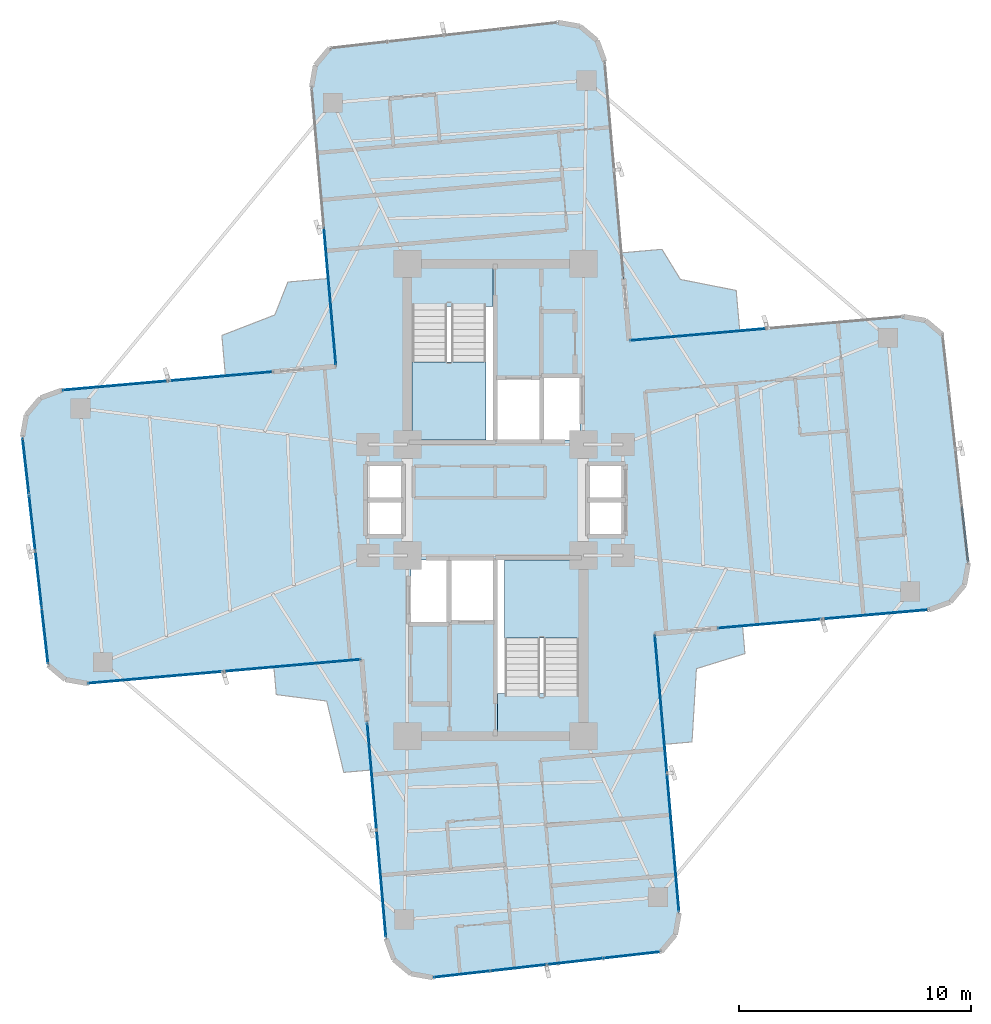
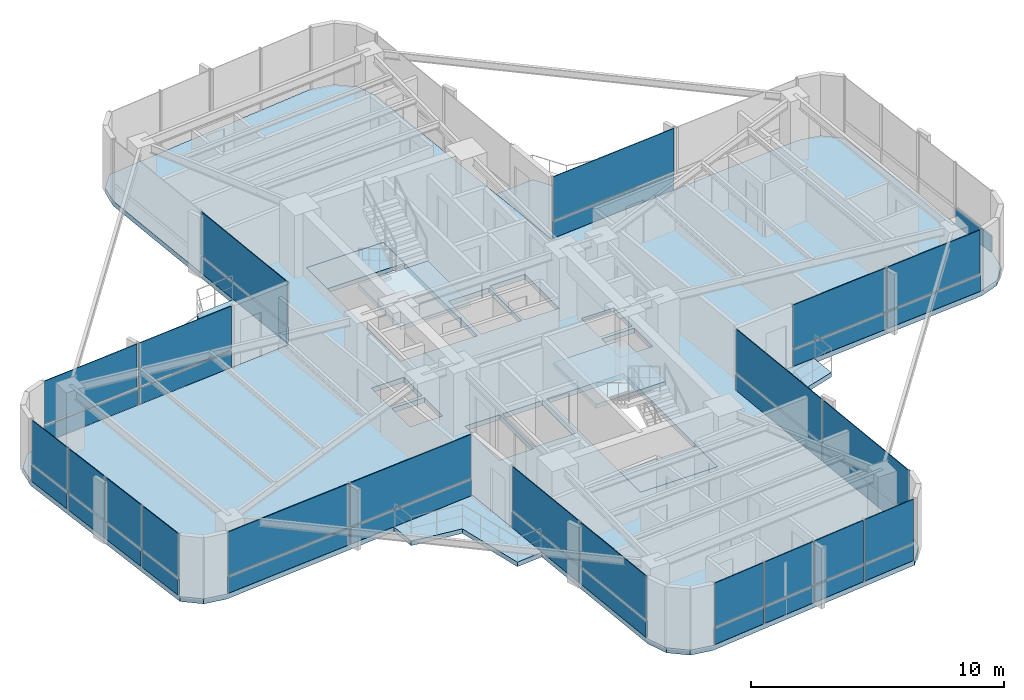
# One storey, part 19 of 24: 41 plates, 9 slabs, 12 elements without a shape of their own.
"""IFC4 building model written with IfcOpenShell, lengths in metres."""

from ifc_helpers import new_model, si_unit, direction, frame, origin, origin_2d, place, context, subcontext, project, spatial, polyline, rectangle, outline, extrude, source, transform, mapped, material, layer, layer_set, type_object, element, aggregate, save


model = new_model("IFC4")

# Units and contexts
model_context = context("Model", 3, precision=1e-05, world=origin(), true_north=direction((0.0, 1.0)))
body_context = subcontext(model_context, "Body", "Model", "MODEL_VIEW")
ifc_project = project(units=[si_unit("LENGTHUNIT", "METRE"), si_unit("AREAUNIT", "SQUARE_METRE"), si_unit("VOLUMEUNIT", "CUBIC_METRE"), si_unit("PLANEANGLEUNIT", "RADIAN"), si_unit("MASSUNIT", "GRAM", prefix="KILO")], contexts=[model_context])

# Site, building, storey
site_placement = place(None, origin())
site = spatial("IfcSite", under=ifc_project, at=site_placement, CompositionType="ELEMENT")
building_placement = place(site_placement, origin())
building = spatial("IfcBuilding", under=site, at=building_placement, Name="Sahyath Konkavel Grand Hotel", CompositionType="ELEMENT")
storey_placement = place(building_placement, frame((0.0, 0.0, 198.64990234375)))
storey = spatial("IfcBuildingStorey", under=building, at=storey_placement, Name="L55", CompositionType="ELEMENT", Elevation=198.64990234375)

# Slabs
ifc_material_1 = material(Name="Concrete C40/50", Category="concrete")
ifc_layer_1 = layer(ifc_material_1, 0.239990234375)
ifc_layer_set_1 = layer_set([ifc_layer_1], Name="Concrete C40/50")
slab_type_1 = type_object("IfcSlabType", Name="SLB-240", PredefinedType="FLOOR", material=ifc_layer_set_1)
slab_1_placement = place(storey_placement, frame((0.0, 0.0, -0.239990234375)))
element("IfcSlab", 1, at=slab_1_placement, inside=storey, type_object=slab_type_1, Name="L55 Structural Floor Slab", PredefinedType="FLOOR", context=body_context, shape_type="SweptSolid", body=[
    extrude(outline(polyline([(6.87939453125, -5.7724609375), (18.73388671875, -4.735107421875), (19.6337890625, -4.40771484375), (20.24951171875, -3.674072265625), (20.415771484375, -2.73095703125), (19.3037109375, 7.134521484375), (18.5703125, 7.75), (17.627197265625, 7.91650390625), (5.7724609375, 6.87939453125), (4.7177734375, 18.93310546875), (4.390380859375, 19.8330078125), (3.65673828125, 20.44873046875), (2.713623046875, 20.614990234375), (-7.152099609375, 19.5029296875), (-7.767578125, 18.769287109375), (-7.933837890625, 17.826416015625), (-6.87939453125, 5.7724609375), (-18.73388671875, 4.735107421875), (-19.6337890625, 4.40771484375), (-20.24951171875, 3.674072265625), (-20.415771484375, 2.73095703125), (-19.3037109375, -7.134521484375), (-18.5703125, -7.75), (-17.627197265625, -7.91650390625), (-5.7724609375, -6.87939453125), (-4.7177734375, -18.93310546875), (-4.390380859375, -19.8330078125), (-3.65673828125, -20.44873046875), (-2.713623046875, -20.614990234375), (7.152099609375, -19.5029296875), (7.767578125, -18.769287109375), (7.933837890625, -17.826416015625), (6.87939453125, -5.7724609375)]), holes=[polyline([(-3.6201171875, 2.580078125), (-0.10009765625, 2.580078125), (-0.10009765625, 10.02001953125), (-3.6201171875, 10.02001953125), (-3.6201171875, 2.580078125)]), polyline([(0.10009765625, -10.02001953125), (3.6201171875, -10.02001953125), (3.6201171875, -2.580078125), (0.10009765625, -2.580078125), (0.10009765625, -10.02001953125)]), polyline([(0.10009765625, 2.60009765625), (1.949951171875, 2.60009765625), (1.949951171875, 5.199951171875), (0.10009765625, 5.199951171875), (0.10009765625, 2.60009765625)]), polyline([(-1.949951171875, -5.199951171875), (-0.10009765625, -5.199951171875), (-0.10009765625, -2.60009765625), (-1.949951171875, -2.60009765625), (-1.949951171875, -5.199951171875)]), polyline([(2.050048828125, 2.60009765625), (3.64990234375, 2.60009765625), (3.64990234375, 5.300048828125), (2.050048828125, 5.300048828125), (2.050048828125, 2.60009765625)]), polyline([(-3.64990234375, -5.300048828125), (-2.050048828125, -5.300048828125), (-2.050048828125, -2.60009765625), (-3.64990234375, -2.60009765625), (-3.64990234375, -5.300048828125)]), polyline([(4.050048828125, 0.080078125), (5.550048828125, 0.080078125), (5.550048828125, 1.5400390625), (4.050048828125, 1.5400390625), (4.050048828125, 0.080078125)]), polyline([(4.050048828125, -1.5400390625), (5.550048828125, -1.5400390625), (5.550048828125, -0.080078125), (4.050048828125, -0.080078125), (4.050048828125, -1.5400390625)]), polyline([(-5.550048828125, 0.080078125), (-4.050048828125, 0.080078125), (-4.050048828125, 1.5400390625), (-5.550048828125, 1.5400390625), (-5.550048828125, 0.080078125)]), polyline([(-5.550048828125, -1.5400390625), (-4.050048828125, -1.5400390625), (-4.050048828125, -0.080078125), (-5.550048828125, -0.080078125), (-5.550048828125, -1.5400390625)])]), origin(), (0.0, 0.0, 1.0), 0.239990234375),
])
ifc_layer_2 = layer(ifc_material_1, 0.219970703125)
ifc_layer_set_2 = layer_set([ifc_layer_2], Name="Concrete C40/50")
slab_type_2 = type_object("IfcSlabType", Name="SLB-BALCONY-220", PredefinedType="FLOOR", material=ifc_layer_set_2)
slab_2_placement = place(storey_placement, frame((0.0, 0.0, -0.219970703125)))
element("IfcSlab", 2, at=slab_2_placement, inside=storey, type_object=slab_type_2, Name="L55 Winter-Garden Balcony NE", PredefinedType="FLOOR", context=body_context, shape_type="SweptSolid", body=[
    extrude(outline(polyline([(5.7724609375, 6.87939453125), (10.54931640625, 7.297119140625), (10.39599609375, 9.046630859375), (7.989501953125, 9.521484375), (7.190185546875, 10.82275390625), (5.44091796875, 10.669921875), (5.7724609375, 6.87939453125)])), origin(), (0.0, 0.0, 1.0), 0.219970703125),
])
slab_3_placement = place(storey_placement, frame((0.0, 0.0, -0.219970703125)))
element("IfcSlab", 3, at=slab_3_placement, inside=storey, type_object=slab_type_2, Name="L55 Winter-Garden Balcony NW", PredefinedType="FLOOR", context=body_context, shape_type="SweptSolid", body=[
    extrude(outline(polyline([(-6.87939453125, 5.7724609375), (-7.2109375, 9.56298828125), (-8.960205078125, 9.409912109375), (-9.521484375, 7.989501953125), (-11.80908203125, 7.10400390625), (-11.656005859375, 5.3544921875), (-6.87939453125, 5.7724609375)])), origin(), (0.0, 0.0, 1.0), 0.219970703125),
])
slab_4_placement = place(storey_placement, frame((0.0, 0.0, -0.219970703125)))
element("IfcSlab", 4, at=slab_4_placement, inside=storey, type_object=slab_type_2, Name="L55 Winter-Garden Balcony SW", PredefinedType="FLOOR", context=body_context, shape_type="SweptSolid", body=[
    extrude(outline(polyline([(-5.7724609375, -6.87939453125), (-9.56298828125, -7.2109375), (-9.458740234375, -8.40234375), (-7.2822265625, -8.6787109375), (-6.5458984375, -11.76025390625), (-5.3544921875, -11.656005859375), (-5.7724609375, -6.87939453125)])), origin(), (0.0, 0.0, 1.0), 0.219970703125),
])
slab_5_placement = place(storey_placement, frame((0.0, 0.0, -0.219970703125)))
element("IfcSlab", 5, at=slab_5_placement, inside=storey, type_object=slab_type_2, Name="L55 Winter-Garden Balcony SE", PredefinedType="FLOOR", context=body_context, shape_type="SweptSolid", body=[
    extrude(outline(polyline([(6.87939453125, -5.7724609375), (7.297119140625, -10.54931640625), (8.488525390625, -10.44482421875), (8.6787109375, -7.2822265625), (10.77392578125, -6.632080078125), (10.669921875, -5.44091796875), (6.87939453125, -5.7724609375)])), origin(), (0.0, 0.0, 1.0), 0.219970703125),
])

# Stair, slab
stair_type = type_object("IfcStairType", Name="STR-ST16-335", PredefinedType="HALF_TURN_STAIR", material=ifc_material_1)
stair_1_placement = place(storey_placement, origin())
stair_1 = element("IfcStair", 6, at=stair_1_placement, inside=storey, type_object=stair_type, Name="L55 North Core Smokeproof Exit Stair ST-1", PredefinedType="HALF_TURN_STAIR")
ifc_layer_3 = layer(ifc_material_1, 0.199951171875)
ifc_layer_set_3 = layer_set([ifc_layer_3], Name="Concrete C40/50")
slab_type_3 = type_object("IfcSlabType", Name="SLB-STAIR-LND", PredefinedType="LANDING", material=ifc_layer_set_3)
slab_6_placement = place(storey_placement, frame((0.0, 0.0, 1.47509765625)))
slab_6 = element("IfcSlab", 7, at=slab_6_placement, type_object=slab_type_3, Name="ST-1 landing 1", PredefinedType="LANDING", context=body_context, shape_type="SweptSolid", body=[
    extrude(outline(polyline([(-3.60009765625, 5.9599609375), (-3.60009765625, 2.60009765625), (-0.39990234375, 2.60009765625), (-0.39990234375, 5.9599609375), (-3.60009765625, 5.9599609375)])), origin(), (0.0, 0.0, 1.0), 0.199951171875),
])
aggregate(stair_1, [slab_6])

stair_2_placement = place(storey_placement, origin())
stair_2 = element("IfcStair", 8, at=stair_2_placement, inside=storey, type_object=stair_type, Name="L55 South Core Smokeproof Exit Stair ST-2", PredefinedType="HALF_TURN_STAIR")
slab_7_placement = place(storey_placement, frame((0.0, 0.0, 1.47509765625)))
slab_7 = element("IfcSlab", 9, at=slab_7_placement, type_object=slab_type_3, Name="ST-2 landing 1", PredefinedType="LANDING", context=body_context, shape_type="SweptSolid", body=[
    extrude(outline(polyline([(3.60009765625, -5.9599609375), (3.60009765625, -2.60009765625), (0.39990234375, -2.60009765625), (0.39990234375, -5.9599609375), (3.60009765625, -5.9599609375)])), origin(), (0.0, 0.0, 1.0), 0.199951171875),
])
aggregate(stair_2, [slab_7])

# Slabs
slab_8_placement = place(storey_placement, frame((0.0, 0.0, -0.199951171875)))
element("IfcSlab", 10, at=slab_8_placement, inside=storey, type_object=slab_type_3, Name="L55 Stair ST-1 Floor Landing Slab", PredefinedType="LANDING", context=body_context, shape_type="SweptSolid", body=[
    extrude(outline(polyline([(-3.6201171875, 8.35009765625), (-0.10009765625, 8.35009765625), (-0.10009765625, 10.02001953125), (-3.6201171875, 10.02001953125), (-3.6201171875, 8.35009765625)])), origin(), (0.0, 0.0, 1.0), 0.199951171875),
])
slab_9_placement = place(storey_placement, frame((0.0, 0.0, -0.199951171875)))
element("IfcSlab", 11, at=slab_9_placement, inside=storey, type_object=slab_type_3, Name="L55 Stair ST-2 Floor Landing Slab", PredefinedType="LANDING", context=body_context, shape_type="SweptSolid", body=[
    extrude(outline(polyline([(0.10009765625, -10.02001953125), (3.6201171875, -10.02001953125), (3.6201171875, -8.35009765625), (0.10009765625, -8.35009765625), (0.10009765625, -10.02001953125)])), origin(), (0.0, 0.0, 1.0), 0.199951171875),
])

# Curtain wall, plates
ifc_material_2 = material(Name="Anodised Bronze Aluminium & Low-E Glazing", Category="aluminium")
curtain_wall_type = type_object("IfcCurtainWallType", Name="CW-ZONE3", PredefinedType="NOTDEFINED", material=ifc_material_2)
curtain_wall_1_placement = place(storey_placement, origin())
curtain_wall_1 = element("IfcCurtainWall", 12, at=curtain_wall_1_placement, inside=storey, type_object=curtain_wall_type, Name="L55 Unitised Curtain Wall F0", PredefinedType="NOTDEFINED")
ifc_material_3 = material(Name="Warm Buff Sandstone Cladding", Category="masonry")
ifc_layer_4 = layer(ifc_material_3, 0.074951171875)
ifc_layer_set_4 = layer_set([ifc_layer_4], Name="Warm Buff Sandstone Cladding")
plate_type_1 = type_object("IfcPlateType", Name="PNL-SPANDREL-STONE", PredefinedType="SHEET", material=ifc_layer_set_4)
shared_shape_1 = source(origin(), body_context, "Body", "SweptSolid", [
    extrude(rectangle(XDim=4.47998046875, YDim=0.074951171875, at=origin_2d()), origin(), (0.0, 0.0, 1.0), 0.77001953125),
])
plate_1_placement = place(storey_placement, frame((11.880126953125, -5.334716796875, 0.0400390625), z_axis=(0.0, 0.0, 1.0), x_axis=(0.996194698092, 0.087155742748, 0.0)))
plate_1 = element("IfcPlate", 13, at=plate_1_placement, type_object=plate_type_1, Name="L55 Sandstone Relief Spandrel Panel F0-0", PredefinedType="SHEET", context=body_context, shape_type="MappedRepresentation", body=[
    mapped(shared_shape_1, transform((0.0, 0.0, 0.0), scale=1.0)),
])
plate_2_placement = place(storey_placement, frame((16.4228515625, -4.9375, 0.0400390625), z_axis=(0.0, 0.0, 1.0), x_axis=(0.996194698092, 0.087155742748, 0.0)))
plate_2 = element("IfcPlate", 14, at=plate_2_placement, type_object=plate_type_1, Name="L55 Sandstone Relief Spandrel Panel F0-1", PredefinedType="SHEET", context=body_context, shape_type="MappedRepresentation", body=[
    mapped(shared_shape_1, transform((0.0, 0.0, 0.0), scale=1.0)),
])

curtain_wall_2_placement = place(storey_placement, origin())
curtain_wall_2 = element("IfcCurtainWall", 15, at=curtain_wall_2_placement, inside=storey, type_object=curtain_wall_type, Name="L55 Unitised Curtain Wall F16", PredefinedType="NOTDEFINED")
plate_3_placement = place(storey_placement, frame((-11.880126953125, 5.334716796875, 0.0400390625), z_axis=(0.0, 0.0, 1.0), x_axis=(-0.996194698092, -0.087155742748, 0.0)))
plate_3 = element("IfcPlate", 16, at=plate_3_placement, type_object=plate_type_1, Name="L55 Sandstone Relief Spandrel Panel F16-0", PredefinedType="SHEET", context=body_context, shape_type="MappedRepresentation", body=[
    mapped(shared_shape_1, transform((0.0, 0.0, 0.0), scale=1.0)),
])
plate_4_placement = place(storey_placement, frame((-16.4228515625, 4.9375, 0.0400390625), z_axis=(0.0, 0.0, 1.0), x_axis=(-0.996194698092, -0.087155742748, 0.0)))
plate_4 = element("IfcPlate", 17, at=plate_4_placement, type_object=plate_type_1, Name="L55 Sandstone Relief Spandrel Panel F16-1", PredefinedType="SHEET", context=body_context, shape_type="MappedRepresentation", body=[
    mapped(shared_shape_1, transform((0.0, 0.0, 0.0), scale=1.0)),
])

# Curtain wall, plate
curtain_wall_3_placement = place(storey_placement, origin())
curtain_wall_3 = element("IfcCurtainWall", 18, at=curtain_wall_3_placement, inside=storey, type_object=curtain_wall_type, Name="L55 Unitised Curtain Wall F4", PredefinedType="NOTDEFINED")
shared_shape_2 = source(origin(), body_context, "Body", "SweptSolid", [
    extrude(rectangle(XDim=2.382080078125, YDim=0.074951171875, at=origin_2d()), origin(), (0.0, 0.0, 1.0), 0.77001953125),
])
plate_5_placement = place(storey_placement, frame((20.2734375, -1.468017578125, 0.0400390625), z_axis=(0.0, 0.0, 1.0), x_axis=(-0.111989252568, 0.993709417943, 0.0)))
plate_5 = element("IfcPlate", 19, at=plate_5_placement, type_object=plate_type_1, Name="L55 Sandstone Relief Spandrel Panel F4-0", PredefinedType="SHEET", context=body_context, shape_type="MappedRepresentation", body=[
    mapped(shared_shape_2, transform((0.0, 0.0, 0.0), scale=1.0)),
])
aggregate(curtain_wall_3, [plate_5])

# Curtain wall, plates
curtain_wall_4_placement = place(storey_placement, origin())
curtain_wall_4 = element("IfcCurtainWall", 20, at=curtain_wall_4_placement, inside=storey, type_object=curtain_wall_type, Name="L55 Unitised Curtain Wall F20", PredefinedType="NOTDEFINED")
plate_6_placement = place(storey_placement, frame((-20.2734375, 1.468017578125, 0.0400390625), z_axis=(0.0, 0.0, 1.0), x_axis=(0.111989252568, -0.993709417943, 0.0)))
plate_6 = element("IfcPlate", 21, at=plate_6_placement, type_object=plate_type_1, Name="L55 Sandstone Relief Spandrel Panel F20-0", PredefinedType="SHEET", context=body_context, shape_type="MappedRepresentation", body=[
    mapped(shared_shape_2, transform((0.0, 0.0, 0.0), scale=1.0)),
])
plate_7_placement = place(storey_placement, frame((-19.99755859375, -0.978515625, 0.0400390625), z_axis=(0.0, 0.0, 1.0), x_axis=(0.111989252568, -0.993709417943, 0.0)))
plate_7 = element("IfcPlate", 22, at=plate_7_placement, type_object=plate_type_1, Name="L55 Sandstone Relief Spandrel Panel F20-1", PredefinedType="SHEET", context=body_context, shape_type="MappedRepresentation", body=[
    mapped(shared_shape_2, transform((0.0, 0.0, 0.0), scale=1.0)),
])
plate_8_placement = place(storey_placement, frame((-19.7216796875, -3.425048828125, 0.0400390625), z_axis=(0.0, 0.0, 1.0), x_axis=(0.111989252568, -0.993709417943, 0.0)))
plate_8 = element("IfcPlate", 23, at=plate_8_placement, type_object=plate_type_1, Name="L55 Sandstone Relief Spandrel Panel F20-2", PredefinedType="SHEET", context=body_context, shape_type="MappedRepresentation", body=[
    mapped(shared_shape_2, transform((0.0, 0.0, 0.0), scale=1.0)),
])
plate_9_placement = place(storey_placement, frame((-19.446044921875, -5.87158203125, 0.0400390625), z_axis=(0.0, 0.0, 1.0), x_axis=(0.111989252568, -0.993709417943, 0.0)))
plate_9 = element("IfcPlate", 24, at=plate_9_placement, type_object=plate_type_1, Name="L55 Sandstone Relief Spandrel Panel F20-3", PredefinedType="SHEET", context=body_context, shape_type="MappedRepresentation", body=[
    mapped(shared_shape_2, transform((0.0, 0.0, 0.0), scale=1.0)),
])

curtain_wall_5_placement = place(storey_placement, origin())
curtain_wall_5 = element("IfcCurtainWall", 25, at=curtain_wall_5_placement, inside=storey, type_object=curtain_wall_type, Name="L55 Unitised Curtain Wall F28", PredefinedType="NOTDEFINED")
plate_10_placement = place(storey_placement, frame((-1.45068359375, -20.47265625, 0.0400390625), z_axis=(0.0, 0.0, 1.0), x_axis=(0.993707463211, 0.112006596052, 0.0)))
plate_10 = element("IfcPlate", 26, at=plate_10_placement, type_object=plate_type_1, Name="L55 Sandstone Relief Spandrel Panel F28-0", PredefinedType="SHEET", context=body_context, shape_type="MappedRepresentation", body=[
    mapped(shared_shape_2, transform((0.0, 0.0, 0.0), scale=1.0)),
])
plate_11_placement = place(storey_placement, frame((0.995849609375, -20.197021484375, 0.0400390625), z_axis=(0.0, 0.0, 1.0), x_axis=(0.993707463211, 0.112006596052, 0.0)))
plate_11 = element("IfcPlate", 27, at=plate_11_placement, type_object=plate_type_1, Name="L55 Sandstone Relief Spandrel Panel F28-1", PredefinedType="SHEET", context=body_context, shape_type="MappedRepresentation", body=[
    mapped(shared_shape_2, transform((0.0, 0.0, 0.0), scale=1.0)),
])
plate_12_placement = place(storey_placement, frame((3.4423828125, -19.921142578125, 0.0400390625), z_axis=(0.0, 0.0, 1.0), x_axis=(0.993707463211, 0.112006596052, 0.0)))
plate_12 = element("IfcPlate", 28, at=plate_12_placement, type_object=plate_type_1, Name="L55 Sandstone Relief Spandrel Panel F28-2", PredefinedType="SHEET", context=body_context, shape_type="MappedRepresentation", body=[
    mapped(shared_shape_2, transform((0.0, 0.0, 0.0), scale=1.0)),
])
plate_13_placement = place(storey_placement, frame((5.888916015625, -19.6455078125, 0.0400390625), z_axis=(0.0, 0.0, 1.0), x_axis=(0.993707463211, 0.112006596052, 0.0)))
plate_13 = element("IfcPlate", 29, at=plate_13_placement, type_object=plate_type_1, Name="L55 Sandstone Relief Spandrel Panel F28-3", PredefinedType="SHEET", context=body_context, shape_type="MappedRepresentation", body=[
    mapped(shared_shape_2, transform((0.0, 0.0, 0.0), scale=1.0)),
])

# Curtain wall, plate
curtain_wall_6_placement = place(storey_placement, origin())
curtain_wall_6 = element("IfcCurtainWall", 30, at=curtain_wall_6_placement, inside=storey, type_object=curtain_wall_type, Name="L55 Unitised Curtain Wall F7", PredefinedType="NOTDEFINED")
shared_shape_3 = source(origin(), body_context, "Body", "SweptSolid", [
    extrude(rectangle(XDim=5.830078125, YDim=0.074951171875, at=origin_2d()), origin(), (0.0, 0.0, 1.0), 0.77001953125),
])
plate_14_placement = place(storey_placement, frame((8.756103515625, 7.140380859375, 0.0400390625), z_axis=(0.0, 0.0, 1.0), x_axis=(-0.996194698092, -0.087155742748, 0.0)))
plate_14 = element("IfcPlate", 31, at=plate_14_placement, type_object=plate_type_1, Name="L55 Sandstone Relief Spandrel Panel F7-1", PredefinedType="SHEET", context=body_context, shape_type="MappedRepresentation", body=[
    mapped(shared_shape_3, transform((0.0, 0.0, 0.0), scale=1.0)),
])

# Curtain wall, plates
curtain_wall_7_placement = place(storey_placement, origin())
curtain_wall_7 = element("IfcCurtainWall", 32, at=curtain_wall_7_placement, inside=storey, type_object=curtain_wall_type, Name="L55 Unitised Curtain Wall F23", PredefinedType="NOTDEFINED")
plate_15_placement = place(storey_placement, frame((-14.6435546875, -7.655517578125, 0.0400390625), z_axis=(0.0, 0.0, 1.0), x_axis=(0.996194698092, 0.087155742748, 0.0)))
plate_15 = element("IfcPlate", 33, at=plate_15_placement, type_object=plate_type_1, Name="L55 Sandstone Relief Spandrel Panel F23-0", PredefinedType="SHEET", context=body_context, shape_type="MappedRepresentation", body=[
    mapped(shared_shape_3, transform((0.0, 0.0, 0.0), scale=1.0)),
])
plate_16_placement = place(storey_placement, frame((-8.756103515625, -7.140380859375, 0.0400390625), z_axis=(0.0, 0.0, 1.0), x_axis=(0.996194698092, 0.087155742748, 0.0)))
plate_16 = element("IfcPlate", 34, at=plate_16_placement, type_object=plate_type_1, Name="L55 Sandstone Relief Spandrel Panel F23-1", PredefinedType="SHEET", context=body_context, shape_type="MappedRepresentation", body=[
    mapped(shared_shape_3, transform((0.0, 0.0, 0.0), scale=1.0)),
])

curtain_wall_8_placement = place(storey_placement, origin())
curtain_wall_8 = element("IfcCurtainWall", 35, at=curtain_wall_8_placement, inside=storey, type_object=curtain_wall_type, Name="L55 Unitised Curtain Wall F24", PredefinedType="NOTDEFINED")
shared_shape_4 = source(origin(), body_context, "Body", "SweptSolid", [
    extrude(rectangle(XDim=4.580078125, YDim=0.074951171875, at=origin_2d()), origin(), (0.0, 0.0, 1.0), 0.77001953125),
])
plate_17_placement = place(storey_placement, frame((-5.33056640625, -11.929931640625, 0.0400390625), z_axis=(0.0, 0.0, 1.0), x_axis=(0.087155742748, -0.996194698092, 0.0)))
plate_17 = element("IfcPlate", 36, at=plate_17_placement, type_object=plate_type_1, Name="L55 Sandstone Relief Spandrel Panel F24-0", PredefinedType="SHEET", context=body_context, shape_type="MappedRepresentation", body=[
    mapped(shared_shape_4, transform((0.0, 0.0, 0.0), scale=1.0)),
])
plate_18_placement = place(storey_placement, frame((-4.92431640625, -16.572265625, 0.0400390625), z_axis=(0.0, 0.0, 1.0), x_axis=(0.087155742748, -0.996194698092, 0.0)))
plate_18 = element("IfcPlate", 37, at=plate_18_placement, type_object=plate_type_1, Name="L55 Sandstone Relief Spandrel Panel F24-1", PredefinedType="SHEET", context=body_context, shape_type="MappedRepresentation", body=[
    mapped(shared_shape_4, transform((0.0, 0.0, 0.0), scale=1.0)),
])

# Curtain wall, plate
curtain_wall_9_placement = place(storey_placement, origin())
curtain_wall_9 = element("IfcCurtainWall", 38, at=curtain_wall_9_placement, inside=storey, type_object=curtain_wall_type, Name="L55 Unitised Curtain Wall F15", PredefinedType="NOTDEFINED")
shared_shape_5 = source(origin(), body_context, "Body", "SweptSolid", [
    extrude(rectangle(XDim=5.929931640625, YDim=0.074951171875, at=origin_2d()), origin(), (0.0, 0.0, 1.0), 0.77001953125),
])
plate_19_placement = place(storey_placement, frame((-7.144775390625, 8.805908203125, 0.0400390625), z_axis=(0.0, 0.0, 1.0), x_axis=(0.087155742748, -0.996194698092, 0.0)))
plate_19 = element("IfcPlate", 39, at=plate_19_placement, type_object=plate_type_1, Name="L55 Sandstone Relief Spandrel Panel F15-1", PredefinedType="SHEET", context=body_context, shape_type="MappedRepresentation", body=[
    mapped(shared_shape_5, transform((0.0, 0.0, 0.0), scale=1.0)),
])

# Curtain wall, plates
curtain_wall_10_placement = place(storey_placement, origin())
curtain_wall_10 = element("IfcCurtainWall", 40, at=curtain_wall_10_placement, inside=storey, type_object=curtain_wall_type, Name="L55 Unitised Curtain Wall F31", PredefinedType="NOTDEFINED")
plate_20_placement = place(storey_placement, frame((7.66845703125, -14.79296875, 0.0400390625), z_axis=(0.0, 0.0, 1.0), x_axis=(-0.087155742748, 0.996194698092, 0.0)))
plate_20 = element("IfcPlate", 41, at=plate_20_placement, type_object=plate_type_1, Name="L55 Sandstone Relief Spandrel Panel F31-0", PredefinedType="SHEET", context=body_context, shape_type="MappedRepresentation", body=[
    mapped(shared_shape_5, transform((0.0, 0.0, 0.0), scale=1.0)),
])
plate_21_placement = place(storey_placement, frame((7.144775390625, -8.805908203125, 0.0400390625), z_axis=(0.0, 0.0, 1.0), x_axis=(-0.087155742748, 0.996194698092, 0.0)))
plate_21 = element("IfcPlate", 42, at=plate_21_placement, type_object=plate_type_1, Name="L55 Sandstone Relief Spandrel Panel F31-1", PredefinedType="SHEET", context=body_context, shape_type="MappedRepresentation", body=[
    mapped(shared_shape_5, transform((0.0, 0.0, 0.0), scale=1.0)),
])

# Plate
ifc_material_4 = material(Name="Low-E Solar Control Double Glazing", Category="glass")
ifc_layer_5 = layer(ifc_material_4, 0.035888671875)
ifc_layer_set_5 = layer_set([ifc_layer_5], Name="Low-E Solar Control Double Glazing")
plate_type_2 = type_object("IfcPlateType", Name="PNL-VISION-LOWE", PredefinedType="CURTAIN_PANEL", material=ifc_layer_set_5)
shared_shape_6 = source(origin(), body_context, "Body", "SweptSolid", [
    extrude(rectangle(XDim=4.47998046875, YDim=0.035888671875, at=origin_2d()), origin(), (0.0, 0.0, 1.0), 2.10009765625),
])
plate_22_placement = place(storey_placement, frame((11.880126953125, -5.334716796875, 0.89013671875), z_axis=(0.0, 0.0, 1.0), x_axis=(0.996194698092, 0.087155742748, 0.0)))
plate_22 = element("IfcPlate", 43, at=plate_22_placement, type_object=plate_type_2, Name="L55 Low-E Vision Glazing Panel F0-0", PredefinedType="CURTAIN_PANEL", context=body_context, shape_type="MappedRepresentation", body=[
    mapped(shared_shape_6, transform((0.0, 0.0, 0.0), scale=1.0)),
])

plate_23_placement = place(storey_placement, frame((16.4228515625, -4.9375, 0.89013671875), z_axis=(0.0, 0.0, 1.0), x_axis=(0.996194698092, 0.087155742748, 0.0)))
plate_23 = element("IfcPlate", 44, at=plate_23_placement, type_object=plate_type_2, Name="L55 Low-E Vision Glazing Panel F0-1", PredefinedType="CURTAIN_PANEL", context=body_context, shape_type="MappedRepresentation", body=[
    mapped(shared_shape_6, transform((0.0, 0.0, 0.0), scale=1.0)),
])

aggregate(curtain_wall_1, [plate_1, plate_22, plate_2, plate_23])

plate_24_placement = place(storey_placement, frame((-11.880126953125, 5.334716796875, 0.89013671875), z_axis=(0.0, 0.0, 1.0), x_axis=(-0.996194698092, -0.087155742748, 0.0)))
plate_24 = element("IfcPlate", 45, at=plate_24_placement, type_object=plate_type_2, Name="L55 Low-E Vision Glazing Panel F16-0", PredefinedType="CURTAIN_PANEL", context=body_context, shape_type="MappedRepresentation", body=[
    mapped(shared_shape_6, transform((0.0, 0.0, 0.0), scale=1.0)),
])

plate_25_placement = place(storey_placement, frame((-16.4228515625, 4.9375, 0.89013671875), z_axis=(0.0, 0.0, 1.0), x_axis=(-0.996194698092, -0.087155742748, 0.0)))
plate_25 = element("IfcPlate", 46, at=plate_25_placement, type_object=plate_type_2, Name="L55 Low-E Vision Glazing Panel F16-1", PredefinedType="CURTAIN_PANEL", context=body_context, shape_type="MappedRepresentation", body=[
    mapped(shared_shape_6, transform((0.0, 0.0, 0.0), scale=1.0)),
])

aggregate(curtain_wall_2, [plate_3, plate_24, plate_4, plate_25])

shared_shape_7 = source(origin(), body_context, "Body", "SweptSolid", [
    extrude(rectangle(XDim=2.382080078125, YDim=0.035888671875, at=origin_2d()), origin(), (0.0, 0.0, 1.0), 2.10009765625),
])
plate_26_placement = place(storey_placement, frame((-20.2734375, 1.468017578125, 0.89013671875), z_axis=(0.0, 0.0, 1.0), x_axis=(0.111989252568, -0.993709417943, 0.0)))
plate_26 = element("IfcPlate", 47, at=plate_26_placement, type_object=plate_type_2, Name="L55 Low-E Vision Glazing Panel F20-0", PredefinedType="CURTAIN_PANEL", context=body_context, shape_type="MappedRepresentation", body=[
    mapped(shared_shape_7, transform((0.0, 0.0, 0.0), scale=1.0)),
])

plate_27_placement = place(storey_placement, frame((-19.99755859375, -0.978515625, 0.89013671875), z_axis=(0.0, 0.0, 1.0), x_axis=(0.111989252568, -0.993709417943, 0.0)))
plate_27 = element("IfcPlate", 48, at=plate_27_placement, type_object=plate_type_2, Name="L55 Low-E Vision Glazing Panel F20-1", PredefinedType="CURTAIN_PANEL", context=body_context, shape_type="MappedRepresentation", body=[
    mapped(shared_shape_7, transform((0.0, 0.0, 0.0), scale=1.0)),
])

plate_28_placement = place(storey_placement, frame((-19.7216796875, -3.425048828125, 0.89013671875), z_axis=(0.0, 0.0, 1.0), x_axis=(0.111989252568, -0.993709417943, 0.0)))
plate_28 = element("IfcPlate", 49, at=plate_28_placement, type_object=plate_type_2, Name="L55 Low-E Vision Glazing Panel F20-2", PredefinedType="CURTAIN_PANEL", context=body_context, shape_type="MappedRepresentation", body=[
    mapped(shared_shape_7, transform((0.0, 0.0, 0.0), scale=1.0)),
])

plate_29_placement = place(storey_placement, frame((-19.446044921875, -5.87158203125, 0.89013671875), z_axis=(0.0, 0.0, 1.0), x_axis=(0.111989252568, -0.993709417943, 0.0)))
plate_29 = element("IfcPlate", 50, at=plate_29_placement, type_object=plate_type_2, Name="L55 Low-E Vision Glazing Panel F20-3", PredefinedType="CURTAIN_PANEL", context=body_context, shape_type="MappedRepresentation", body=[
    mapped(shared_shape_7, transform((0.0, 0.0, 0.0), scale=1.0)),
])

aggregate(curtain_wall_4, [plate_6, plate_26, plate_7, plate_27, plate_8, plate_28, plate_9, plate_29])

plate_30_placement = place(storey_placement, frame((-1.45068359375, -20.47265625, 0.89013671875), z_axis=(0.0, 0.0, 1.0), x_axis=(0.993707463211, 0.112006596052, 0.0)))
plate_30 = element("IfcPlate", 51, at=plate_30_placement, type_object=plate_type_2, Name="L55 Low-E Vision Glazing Panel F28-0", PredefinedType="CURTAIN_PANEL", context=body_context, shape_type="MappedRepresentation", body=[
    mapped(shared_shape_7, transform((0.0, 0.0, 0.0), scale=1.0)),
])

plate_31_placement = place(storey_placement, frame((0.995849609375, -20.197021484375, 0.89013671875), z_axis=(0.0, 0.0, 1.0), x_axis=(0.993707463211, 0.112006596052, 0.0)))
plate_31 = element("IfcPlate", 52, at=plate_31_placement, type_object=plate_type_2, Name="L55 Low-E Vision Glazing Panel F28-1", PredefinedType="CURTAIN_PANEL", context=body_context, shape_type="MappedRepresentation", body=[
    mapped(shared_shape_7, transform((0.0, 0.0, 0.0), scale=1.0)),
])

plate_32_placement = place(storey_placement, frame((3.4423828125, -19.921142578125, 0.89013671875), z_axis=(0.0, 0.0, 1.0), x_axis=(0.993707463211, 0.112006596052, 0.0)))
plate_32 = element("IfcPlate", 53, at=plate_32_placement, type_object=plate_type_2, Name="L55 Low-E Vision Glazing Panel F28-2", PredefinedType="CURTAIN_PANEL", context=body_context, shape_type="MappedRepresentation", body=[
    mapped(shared_shape_7, transform((0.0, 0.0, 0.0), scale=1.0)),
])

plate_33_placement = place(storey_placement, frame((5.888916015625, -19.6455078125, 0.89013671875), z_axis=(0.0, 0.0, 1.0), x_axis=(0.993707463211, 0.112006596052, 0.0)))
plate_33 = element("IfcPlate", 54, at=plate_33_placement, type_object=plate_type_2, Name="L55 Low-E Vision Glazing Panel F28-3", PredefinedType="CURTAIN_PANEL", context=body_context, shape_type="MappedRepresentation", body=[
    mapped(shared_shape_7, transform((0.0, 0.0, 0.0), scale=1.0)),
])

aggregate(curtain_wall_5, [plate_10, plate_30, plate_11, plate_31, plate_12, plate_32, plate_13, plate_33])

shared_shape_8 = source(origin(), body_context, "Body", "SweptSolid", [
    extrude(rectangle(XDim=5.830078125, YDim=0.035888671875, at=origin_2d()), origin(), (0.0, 0.0, 1.0), 2.10009765625),
])
plate_34_placement = place(storey_placement, frame((8.756103515625, 7.140380859375, 0.89013671875), z_axis=(0.0, 0.0, 1.0), x_axis=(-0.996194698092, -0.087155742748, 0.0)))
plate_34 = element("IfcPlate", 55, at=plate_34_placement, type_object=plate_type_2, Name="L55 Low-E Vision Glazing Panel F7-1", PredefinedType="CURTAIN_PANEL", context=body_context, shape_type="MappedRepresentation", body=[
    mapped(shared_shape_8, transform((0.0, 0.0, 0.0), scale=1.0)),
])

aggregate(curtain_wall_6, [plate_14, plate_34])

plate_35_placement = place(storey_placement, frame((-14.6435546875, -7.655517578125, 0.89013671875), z_axis=(0.0, 0.0, 1.0), x_axis=(0.996194698092, 0.087155742748, 0.0)))
plate_35 = element("IfcPlate", 56, at=plate_35_placement, type_object=plate_type_2, Name="L55 Low-E Vision Glazing Panel F23-0", PredefinedType="CURTAIN_PANEL", context=body_context, shape_type="MappedRepresentation", body=[
    mapped(shared_shape_8, transform((0.0, 0.0, 0.0), scale=1.0)),
])

plate_36_placement = place(storey_placement, frame((-8.756103515625, -7.140380859375, 0.89013671875), z_axis=(0.0, 0.0, 1.0), x_axis=(0.996194698092, 0.087155742748, 0.0)))
plate_36 = element("IfcPlate", 57, at=plate_36_placement, type_object=plate_type_2, Name="L55 Low-E Vision Glazing Panel F23-1", PredefinedType="CURTAIN_PANEL", context=body_context, shape_type="MappedRepresentation", body=[
    mapped(shared_shape_8, transform((0.0, 0.0, 0.0), scale=1.0)),
])

aggregate(curtain_wall_7, [plate_15, plate_35, plate_16, plate_36])

shared_shape_9 = source(origin(), body_context, "Body", "SweptSolid", [
    extrude(rectangle(XDim=4.580078125, YDim=0.035888671875, at=origin_2d()), origin(), (0.0, 0.0, 1.0), 2.10009765625),
])
plate_37_placement = place(storey_placement, frame((-5.33056640625, -11.929931640625, 0.89013671875), z_axis=(0.0, 0.0, 1.0), x_axis=(0.087155742748, -0.996194698092, 0.0)))
plate_37 = element("IfcPlate", 58, at=plate_37_placement, type_object=plate_type_2, Name="L55 Low-E Vision Glazing Panel F24-0", PredefinedType="CURTAIN_PANEL", context=body_context, shape_type="MappedRepresentation", body=[
    mapped(shared_shape_9, transform((0.0, 0.0, 0.0), scale=1.0)),
])

plate_38_placement = place(storey_placement, frame((-4.92431640625, -16.572265625, 0.89013671875), z_axis=(0.0, 0.0, 1.0), x_axis=(0.087155742748, -0.996194698092, 0.0)))
plate_38 = element("IfcPlate", 59, at=plate_38_placement, type_object=plate_type_2, Name="L55 Low-E Vision Glazing Panel F24-1", PredefinedType="CURTAIN_PANEL", context=body_context, shape_type="MappedRepresentation", body=[
    mapped(shared_shape_9, transform((0.0, 0.0, 0.0), scale=1.0)),
])

aggregate(curtain_wall_8, [plate_17, plate_37, plate_18, plate_38])

shared_shape_10 = source(origin(), body_context, "Body", "SweptSolid", [
    extrude(rectangle(XDim=5.929931640625, YDim=0.035888671875, at=origin_2d()), origin(), (0.0, 0.0, 1.0), 2.10009765625),
])
plate_39_placement = place(storey_placement, frame((-7.144775390625, 8.805908203125, 0.89013671875), z_axis=(0.0, 0.0, 1.0), x_axis=(0.087155742748, -0.996194698092, 0.0)))
plate_39 = element("IfcPlate", 60, at=plate_39_placement, type_object=plate_type_2, Name="L55 Low-E Vision Glazing Panel F15-1", PredefinedType="CURTAIN_PANEL", context=body_context, shape_type="MappedRepresentation", body=[
    mapped(shared_shape_10, transform((0.0, 0.0, 0.0), scale=1.0)),
])

aggregate(curtain_wall_9, [plate_19, plate_39])

plate_40_placement = place(storey_placement, frame((7.66845703125, -14.79296875, 0.89013671875), z_axis=(0.0, 0.0, 1.0), x_axis=(-0.087155742748, 0.996194698092, 0.0)))
plate_40 = element("IfcPlate", 61, at=plate_40_placement, type_object=plate_type_2, Name="L55 Low-E Vision Glazing Panel F31-0", PredefinedType="CURTAIN_PANEL", context=body_context, shape_type="MappedRepresentation", body=[
    mapped(shared_shape_10, transform((0.0, 0.0, 0.0), scale=1.0)),
])

plate_41_placement = place(storey_placement, frame((7.144775390625, -8.805908203125, 0.89013671875), z_axis=(0.0, 0.0, 1.0), x_axis=(-0.087155742748, 0.996194698092, 0.0)))
plate_41 = element("IfcPlate", 62, at=plate_41_placement, type_object=plate_type_2, Name="L55 Low-E Vision Glazing Panel F31-1", PredefinedType="CURTAIN_PANEL", context=body_context, shape_type="MappedRepresentation", body=[
    mapped(shared_shape_10, transform((0.0, 0.0, 0.0), scale=1.0)),
])

aggregate(curtain_wall_10, [plate_20, plate_40, plate_21, plate_41])

save(model, "model.ifc")
